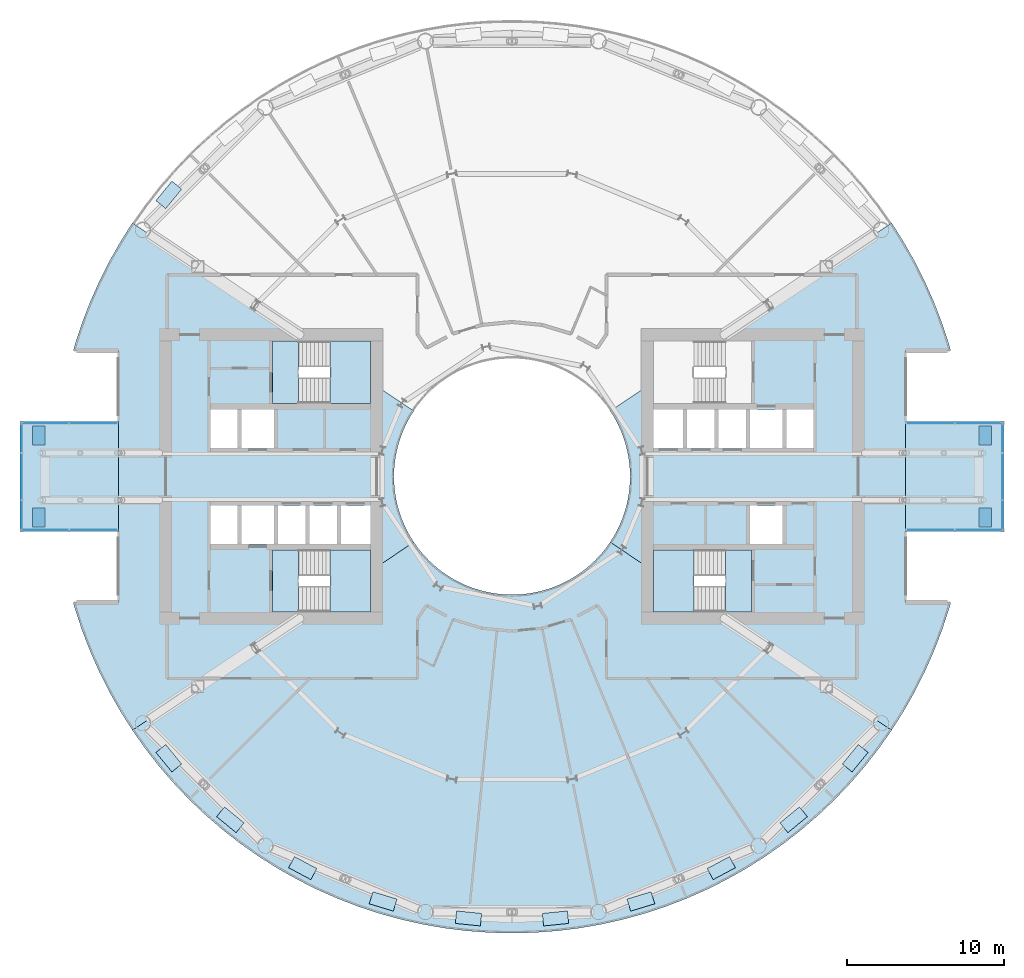
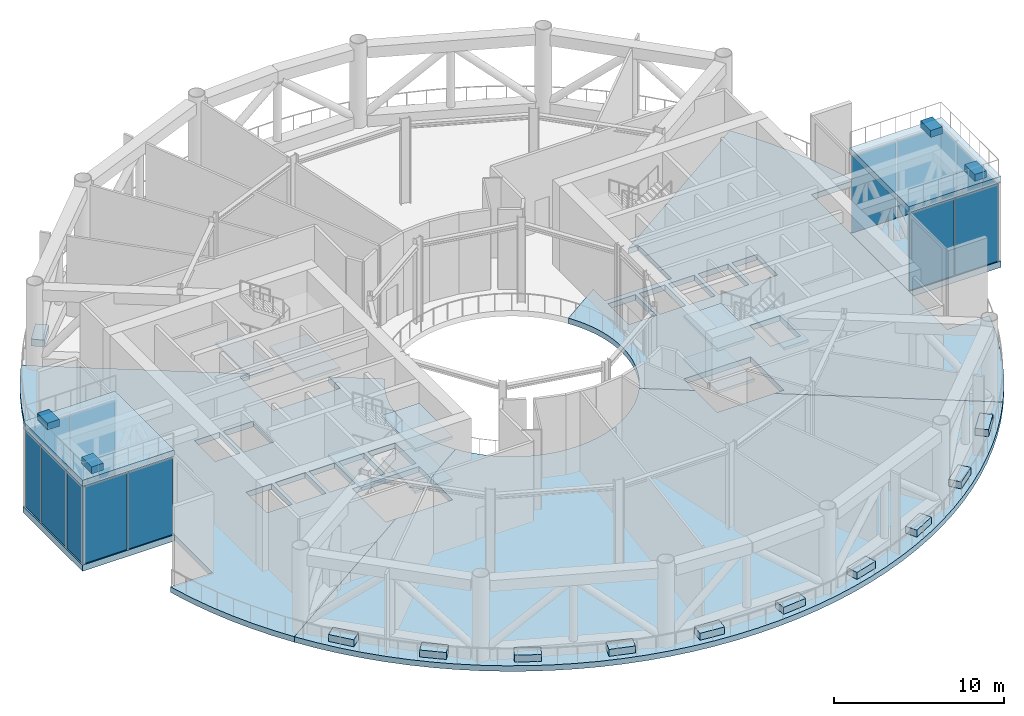
# One storey, part 9 of 22: 30 slabs, 14 plates, 9 elements without a shape of their own.
"""IFC4 building model written with IfcOpenShell, lengths in metres."""

import ifcopenshell
import ifcopenshell.guid

model = None  # the IFC model being written
_history = None  # IfcOwnerHistory: only IFC2X3 demands one
_inside = {}  # id of a spatial element -> (the spatial element, [elements in it])
_under = {}  # id of a project, library or spatial element -> (it, [spatial elements below it])
_declared = {}  # id of a project -> (the project, [libraries it declares])
_typed = {}  # id of a type object -> (the type object, [elements of that type])
_made_of = {}  # id of a material, layer set ... -> (it, [elements and type objects made of it])


def new_model(schema):
    """Start an empty IFC model of exactly this schema.

    Asked for "IFC4X3", IfcOpenShell would pick the latest addendum, in which some entities
    have other attributes; the version numbers below select the first issue.
    IFC2X3 requires an IfcOwnerHistory on every rooted entity: one is made here for all.
    """
    global model, _history
    if schema == "IFC4X3":
        model = ifcopenshell.file(schema_version=(4, 3, 0, 0))
    else:
        model = ifcopenshell.file(schema=schema)
    _inside.clear()
    _under.clear()
    _declared.clear()
    _typed.clear()
    _made_of.clear()
    _history = None
    if model.schema == "IFC2X3":
        org = make("IfcOrganization", Name="unknown")
        user = make(
            "IfcPersonAndOrganization",
            ThePerson=make("IfcPerson", FamilyName="unknown"),
            TheOrganization=org,
        )
        app = make(
            "IfcApplication",
            ApplicationDeveloper=org,
            Version="unknown",
            ApplicationFullName="unknown",
            ApplicationIdentifier="unknown",
        )
        _history = make(
            "IfcOwnerHistory",
            OwningUser=user,
            OwningApplication=app,
            ChangeAction="ADDED",
            CreationDate=0,
        )
    return model


def make(cls, **values):
    """One entity of the class cls with the attributes given. An attribute that is None is left unset."""
    return model.create_entity(
        cls, **{name: value for name, value in values.items() if value is not None}
    )


def rooted(cls, **values):
    """An entity with a GlobalId (a new one), such as an element, a storey or a relation."""
    return make(cls, GlobalId=ifcopenshell.guid.new(), OwnerHistory=_history, **values)


def si_unit(unit_type, name, prefix=None):
    """IfcSIUnit, for example si_unit("LENGTHUNIT", "METRE", prefix="MILLI")."""
    return make("IfcSIUnit", UnitType=unit_type, Prefix=prefix, Name=name)


def assignment(units):
    """IfcUnitAssignment: the units of a project."""
    return None if units is None else make("IfcUnitAssignment", Units=units)


def point(xyz):
    """IfcCartesianPoint."""
    return None if xyz is None else make("IfcCartesianPoint", Coordinates=xyz)


def direction(xyz):
    """IfcDirection."""
    return None if xyz is None else make("IfcDirection", DirectionRatios=xyz)


def frame(location, z_axis=None, x_axis=None):
    """IfcAxis2Placement3D, a coordinate frame: its origin and axes. An axis left out is left unset."""
    return make(
        "IfcAxis2Placement3D",
        Location=point(location),
        Axis=direction(z_axis),
        RefDirection=direction(x_axis),
    )


def frame_2d(location, x_axis=None):
    """IfcAxis2Placement2D, a coordinate frame in the plane: its origin and x axis."""
    return make(
        "IfcAxis2Placement2D", Location=point(location), RefDirection=direction(x_axis)
    )


def origin():
    """The frame at (0, 0, 0) with its axes left unset."""
    return frame((0.0, 0.0, 0.0))


def origin_2d():
    """The frame at (0, 0) in the plane with its x axis left unset."""
    return frame_2d((0.0, 0.0))


def place(relative_to, where):
    """IfcLocalPlacement: puts the frame where relative to a parent placement (None: the world)."""
    return make(
        "IfcLocalPlacement", PlacementRelTo=relative_to, RelativePlacement=where
    )


def context(
    kind, dimensions, precision=None, world=None, true_north=None, identifier=None
):
    """IfcGeometricRepresentationContext, for example the 3D "Model" context."""
    return make(
        "IfcGeometricRepresentationContext",
        ContextIdentifier=identifier,
        ContextType=kind,
        CoordinateSpaceDimension=dimensions,
        Precision=precision,
        WorldCoordinateSystem=world,
        TrueNorth=true_north,
    )


def subcontext(parent, identifier, kind, view, scale=None):
    """IfcGeometricRepresentationSubContext, for example "Body" below "Model"."""
    return make(
        "IfcGeometricRepresentationSubContext",
        ContextIdentifier=identifier,
        ContextType=kind,
        ParentContext=parent,
        TargetScale=scale,
        TargetView=view,
    )


def project(units=None, contexts=None):
    """IfcProject with its units and contexts."""
    return rooted(
        "IfcProject",
        Name="project",
        RepresentationContexts=contexts,
        UnitsInContext=assignment(units),
    )


def spatial(cls, under=None, at=None, **own):
    """A site, building, storey or space (cls), placed at a placement, below another one or the project."""
    s = rooted(cls, ObjectPlacement=at, **own)
    if under is not None:
        _under.setdefault(under.id(), (under, []))[1].append(s)
    return s


def polyline(points):
    """IfcPolyline through the points."""
    return make("IfcPolyline", Points=[point(p) for p in points])


def profile(cls, at=None, kind="AREA", **sizes):
    """A parametric profile (cls). Its sizes go by their IFC names, for example OverallWidth=200.0."""
    return make(cls, ProfileType=kind, Position=at, **sizes)


def rectangle(**sizes):
    """IfcRectangleProfileDef."""
    return profile("IfcRectangleProfileDef", **sizes)


def outline(outer, holes=None, kind="AREA"):
    """IfcArbitraryClosedProfileDef: a profile drawn as a closed curve; with holes, ...WithVoids."""
    if holes is None:
        return make("IfcArbitraryClosedProfileDef", ProfileType=kind, OuterCurve=outer)
    return make(
        "IfcArbitraryProfileDefWithVoids",
        ProfileType=kind,
        OuterCurve=outer,
        InnerCurves=holes,
    )


def extrude(swept, where, along, depth):
    """IfcExtrudedAreaSolid: the profile swept, set in the frame where, extruded along a direction by depth."""
    return make(
        "IfcExtrudedAreaSolid",
        SweptArea=swept,
        Position=where,
        ExtrudedDirection=direction(along),
        Depth=depth,
    )


def shape(context_of_items, identifier, shape_type, items):
    """IfcShapeRepresentation: the items that make up one representation, for example the "Body"."""
    return make(
        "IfcShapeRepresentation",
        ContextOfItems=context_of_items,
        RepresentationIdentifier=identifier,
        RepresentationType=shape_type,
        Items=items,
    )


def material(Name=None, Category=None):
    """IfcMaterial."""
    return make("IfcMaterial", Name=Name, Category=Category)


def layer(
    of_material, thickness, ventilated=None, Name=None, Category=None, Priority=None
):
    """IfcMaterialLayer: one layer of a wall or slab, of a material (None: an air gap)."""
    return make(
        "IfcMaterialLayer",
        Material=of_material,
        LayerThickness=thickness,
        IsVentilated=ventilated,
        Name=Name,
        Category=Category,
        Priority=Priority,
    )


def layer_set(layers, Name=None):
    """IfcMaterialLayerSet."""
    return make("IfcMaterialLayerSet", MaterialLayers=layers, LayerSetName=Name)


def made_of(thing, what):
    """Note that an element or type object is made of a material, layer set ...; save() writes the relation."""
    if what is not None:
        _made_of.setdefault(what.id(), (what, []))[1].append(thing)
    return thing


def type_object(cls, material=None, **own):
    """A type object (cls), such as IfcWallType, which elements share."""
    return made_of(rooted(cls, **own), material)


def element(
    cls,
    number,
    at=None,
    inside=None,
    cuts=None,
    type_object=None,
    material=None,
    context=None,
    identifier="Body",
    shape_type=None,
    held_by="IfcProductDefinitionShape",
    body=None,
    shapes=None,
    **own,
):
    """One element of the class cls, such as IfcWall. Its Tag is "e" and its number.

    at: its placement. inside: the storey or other place that contains it. cuts: it is an
    opening in that element (IfcRelVoidsElement). A single representation is given by context,
    identifier, shape_type and body (its items); several are given by shapes. held_by: the class
    of the entity that holds the representations. save() writes the other relations.
    """
    e = rooted(cls, Tag="e%d" % number, ObjectPlacement=at, **own)
    if body is not None:
        shapes = [shape(context, identifier, shape_type, body)]
    if shapes is not None:
        e.Representation = make(held_by, Representations=shapes)
    if inside is not None:
        _inside.setdefault(inside.id(), (inside, []))[1].append(e)
    if cuts is not None:
        rooted(
            "IfcRelVoidsElement", RelatingBuildingElement=cuts, RelatedOpeningElement=e
        )
    if type_object is not None:
        _typed.setdefault(type_object.id(), (type_object, []))[1].append(e)
    return made_of(e, material)


def aggregate(whole, parts):
    """IfcRelAggregates: a whole, such as a stair, and the parts it consists of."""
    return rooted("IfcRelAggregates", RelatingObject=whole, RelatedObjects=parts)


def save(model, path):
    """Write the relations noted so far, then the file.

    IfcRelAggregates (storeys below a building ...), IfcRelContainedInSpatialStructure (elements
    in a storey), IfcRelDefinesByType, IfcRelAssociatesMaterial and IfcRelDeclares: one each for
    every whole, place, type object, material and project.
    """
    for whole, parts in _under.values():
        aggregate(whole, parts)
    for where, things in _inside.values():
        rooted(
            "IfcRelContainedInSpatialStructure",
            RelatedElements=things,
            RelatingStructure=where,
        )
    for kind, things in _typed.values():
        rooted("IfcRelDefinesByType", RelatedObjects=things, RelatingType=kind)
    for what, things in _made_of.values():
        rooted("IfcRelAssociatesMaterial", RelatedObjects=things, RelatingMaterial=what)
    for by, libraries in _declared.values():
        rooted("IfcRelDeclares", RelatingContext=by, RelatedDefinitions=libraries)
    model.write(path)


model = new_model("IFC4")

# Units and contexts
model_context = context("Model", 3, precision=1e-05, world=origin(), true_north=direction((0.0, 1.0)))
body_context = subcontext(model_context, "Body", "Model", "MODEL_VIEW")
ifc_project = project(units=[si_unit("LENGTHUNIT", "METRE"), si_unit("AREAUNIT", "SQUARE_METRE"), si_unit("VOLUMEUNIT", "CUBIC_METRE"), si_unit("PLANEANGLEUNIT", "RADIAN"), si_unit("MASSUNIT", "GRAM", prefix="KILO")], contexts=[model_context])

# Site, building, storey
site_placement = place(None, origin())
site = spatial("IfcSite", under=ifc_project, at=site_placement, CompositionType="ELEMENT")
building_placement = place(site_placement, origin())
building = spatial("IfcBuilding", under=site, at=building_placement, Name="Maasbend Ring Residences", CompositionType="ELEMENT")
storey_placement = place(building_placement, frame((0.0, 0.0, 57.5)))
storey = spatial("IfcBuildingStorey", under=building, at=storey_placement, Name="L16", CompositionType="ELEMENT", Elevation=57.5)

# Stair, slabs
ifc_material_1 = material(Name="Concrete C40/50", Category="concrete")
stair_type = type_object("IfcStairType", Name="CORE STAIR 36 RISERS", PredefinedType="HALF_TURN_STAIR", material=ifc_material_1)
stair_1_placement = place(storey_placement, origin())
stair_1 = element("IfcStair", 1, at=stair_1_placement, inside=storey, type_object=stair_type, Name="L16 Exit stair ST-E2", PredefinedType="HALF_TURN_STAIR")
ifc_material_2 = material(Name="Concrete C40/50", Category="concrete")
ifc_layer_1 = layer(ifc_material_2, 0.199951171875)
ifc_layer_set_1 = layer_set([ifc_layer_1], Name="Concrete C40/50")
slab_type_1 = type_object("IfcSlabType", Name="CORE STAIR LANDING 200", PredefinedType="LANDING", material=ifc_layer_set_1)
slab_1_placement = place(storey_placement, frame((0.0, 0.0, 1.324951171875)))
slab_1 = element("IfcSlab", 2, at=slab_1_placement, type_object=slab_type_1, Name="ST-E2 landing 1", PredefinedType="LANDING", context=body_context, shape_type="SweptSolid", body=[
    extrude(outline(polyline([(11.550048828125, -4.64990234375), (9.0, -4.64990234375), (9.0, -8.60009765625), (11.550048828125, -8.60009765625), (11.550048828125, -4.64990234375)])), origin(), (0.0, 0.0, 1.0), 0.199951171875),
])
slab_2_placement = place(storey_placement, frame((0.0, 0.0, 2.85009765625)))
slab_2 = element("IfcSlab", 3, at=slab_2_placement, type_object=slab_type_1, Name="ST-E2 landing 2", PredefinedType="LANDING", context=body_context, shape_type="SweptSolid", body=[
    extrude(outline(polyline([(15.199951171875, -4.64990234375), (13.550048828125, -4.64990234375), (13.550048828125, -8.60009765625), (15.199951171875, -8.60009765625), (15.199951171875, -4.64990234375)])), origin(), (0.0, 0.0, 1.0), 0.199951171875),
])
slab_3_placement = place(storey_placement, frame((0.0, 0.0, 4.375)))
slab_3 = element("IfcSlab", 4, at=slab_3_placement, type_object=slab_type_1, Name="ST-E2 landing 3", PredefinedType="LANDING", context=body_context, shape_type="SweptSolid", body=[
    extrude(outline(polyline([(11.550048828125, -4.64990234375), (9.0, -4.64990234375), (9.0, -8.60009765625), (11.550048828125, -8.60009765625), (11.550048828125, -4.64990234375)])), origin(), (0.0, 0.0, 1.0), 0.199951171875),
])
aggregate(stair_1, [slab_1, slab_2, slab_3])

stair_2_placement = place(storey_placement, origin())
stair_2 = element("IfcStair", 5, at=stair_2_placement, inside=storey, type_object=stair_type, Name="L16 Exit stair ST-W1", PredefinedType="HALF_TURN_STAIR")
slab_4_placement = place(storey_placement, frame((0.0, 0.0, 1.324951171875)))
slab_4 = element("IfcSlab", 6, at=slab_4_placement, type_object=slab_type_1, Name="ST-W1 landing 1", PredefinedType="LANDING", context=body_context, shape_type="SweptSolid", body=[
    extrude(outline(polyline([(-11.550048828125, -8.60009765625), (-9.0, -8.60009765625), (-9.0, -4.64990234375), (-11.550048828125, -4.64990234375), (-11.550048828125, -8.60009765625)])), origin(), (0.0, 0.0, 1.0), 0.199951171875),
])
slab_5_placement = place(storey_placement, frame((0.0, 0.0, 2.85009765625)))
slab_5 = element("IfcSlab", 7, at=slab_5_placement, type_object=slab_type_1, Name="ST-W1 landing 2", PredefinedType="LANDING", context=body_context, shape_type="SweptSolid", body=[
    extrude(outline(polyline([(-15.199951171875, -8.60009765625), (-13.550048828125, -8.60009765625), (-13.550048828125, -4.64990234375), (-15.199951171875, -4.64990234375), (-15.199951171875, -8.60009765625)])), origin(), (0.0, 0.0, 1.0), 0.199951171875),
])
slab_6_placement = place(storey_placement, frame((0.0, 0.0, 4.375)))
slab_6 = element("IfcSlab", 8, at=slab_6_placement, type_object=slab_type_1, Name="ST-W1 landing 3", PredefinedType="LANDING", context=body_context, shape_type="SweptSolid", body=[
    extrude(outline(polyline([(-11.550048828125, -8.60009765625), (-9.0, -8.60009765625), (-9.0, -4.64990234375), (-11.550048828125, -4.64990234375), (-11.550048828125, -8.60009765625)])), origin(), (0.0, 0.0, 1.0), 0.199951171875),
])
aggregate(stair_2, [slab_4, slab_5, slab_6])

stair_3_placement = place(storey_placement, origin())
stair_3 = element("IfcStair", 9, at=stair_3_placement, inside=storey, type_object=stair_type, Name="L16 Exit stair ST-W2", PredefinedType="HALF_TURN_STAIR")
slab_7_placement = place(storey_placement, frame((0.0, 0.0, 1.324951171875)))
slab_7 = element("IfcSlab", 10, at=slab_7_placement, type_object=slab_type_1, Name="ST-W2 landing 1", PredefinedType="LANDING", context=body_context, shape_type="SweptSolid", body=[
    extrude(outline(polyline([(-11.550048828125, 4.64990234375), (-9.0, 4.64990234375), (-9.0, 8.60009765625), (-11.550048828125, 8.60009765625), (-11.550048828125, 4.64990234375)])), origin(), (0.0, 0.0, 1.0), 0.199951171875),
])
slab_8_placement = place(storey_placement, frame((0.0, 0.0, 2.85009765625)))
slab_8 = element("IfcSlab", 11, at=slab_8_placement, type_object=slab_type_1, Name="ST-W2 landing 2", PredefinedType="LANDING", context=body_context, shape_type="SweptSolid", body=[
    extrude(outline(polyline([(-15.199951171875, 4.64990234375), (-13.550048828125, 4.64990234375), (-13.550048828125, 8.60009765625), (-15.199951171875, 8.60009765625), (-15.199951171875, 4.64990234375)])), origin(), (0.0, 0.0, 1.0), 0.199951171875),
])
aggregate(stair_3, [slab_7, slab_8])

# Curtain wall, plates
ifc_material_3 = material(Name="Aluminium and clear glass", Category="aluminium")
ifc_layer_2 = layer(ifc_material_3, 0.199951171875)
ifc_layer_set_2 = layer_set([ifc_layer_2], Name="CW-GR")
curtain_wall_type = type_object("IfcCurtainWallType", Name="CW-GR", PredefinedType="NOTDEFINED", material=ifc_layer_set_2)
curtain_wall_1_placement = place(storey_placement, origin())
curtain_wall_1 = element("IfcCurtainWall", 12, at=curtain_wall_1_placement, inside=storey, type_object=curtain_wall_type, Name="Glass lounge curtain wall tip", PredefinedType="NOTDEFINED")
ifc_material_4 = material(Name="Glass clear laminated", Category="glass")
ifc_layer_3 = layer(ifc_material_4, 0.035888671875)
ifc_layer_set_3 = layer_set([ifc_layer_3], Name="CWP-GR")
plate_type = type_object("IfcPlateType", Name="CWP-GR", PredefinedType="CURTAIN_PANEL", material=ifc_layer_set_3)
plate_1_placement = place(storey_placement, frame((31.14990234375, -2.482421875, 0.0), z_axis=(0.0, 0.0, 1.0), x_axis=(0.0, 1.0, 0.0)))
plate_1 = element("IfcPlate", 13, at=plate_1_placement, type_object=plate_type, Name="Glass panel glass room", PredefinedType="CURTAIN_PANEL", context=body_context, shape_type="SweptSolid", body=[
    extrude(rectangle(XDim=1.89501953125, YDim=0.035888671875, at=origin_2d()), origin(), (0.0, 0.0, 1.0), 5.510009765625),
])
plate_2_placement = place(storey_placement, frame((31.14990234375, 0.0, 0.0), z_axis=(0.0, 0.0, 1.0), x_axis=(0.0, 1.0, 0.0)))
plate_2 = element("IfcPlate", 14, at=plate_2_placement, type_object=plate_type, Name="Glass panel glass room", PredefinedType="CURTAIN_PANEL", context=body_context, shape_type="SweptSolid", body=[
    extrude(rectangle(XDim=2.929931640625, YDim=0.035888671875, at=origin_2d()), origin(), (0.0, 0.0, 1.0), 5.510009765625),
])
plate_3_placement = place(storey_placement, frame((31.14990234375, 2.482421875, 0.0), z_axis=(0.0, 0.0, 1.0), x_axis=(0.0, 1.0, 0.0)))
plate_3 = element("IfcPlate", 15, at=plate_3_placement, type_object=plate_type, Name="Glass panel glass room", PredefinedType="CURTAIN_PANEL", context=body_context, shape_type="SweptSolid", body=[
    extrude(rectangle(XDim=1.89501953125, YDim=0.035888671875, at=origin_2d()), origin(), (0.0, 0.0, 1.0), 5.510009765625),
])
aggregate(curtain_wall_1, [plate_1, plate_2, plate_3])

curtain_wall_2_placement = place(storey_placement, origin())
curtain_wall_2 = element("IfcCurtainWall", 16, at=curtain_wall_2_placement, inside=storey, type_object=curtain_wall_type, Name="Glass lounge curtain wall south", PredefinedType="NOTDEFINED")
plate_4_placement = place(storey_placement, frame((26.580078125, -3.39990234375, 0.0), z_axis=(0.0, 0.0, 1.0), x_axis=(1.0, 0.0, 0.0)))
plate_4 = element("IfcPlate", 17, at=plate_4_placement, type_object=plate_type, Name="Glass panel glass room", PredefinedType="CURTAIN_PANEL", context=body_context, shape_type="SweptSolid", body=[
    extrude(rectangle(XDim=3.02001953125, YDim=0.035888671875, at=origin_2d()), origin(), (0.0, 0.0, 1.0), 5.510009765625),
])
plate_5_placement = place(storey_placement, frame((29.669921875, -3.39990234375, 0.0), z_axis=(0.0, 0.0, 1.0), x_axis=(1.0, 0.0, 0.0)))
plate_5 = element("IfcPlate", 18, at=plate_5_placement, type_object=plate_type, Name="Glass panel glass room", PredefinedType="CURTAIN_PANEL", context=body_context, shape_type="SweptSolid", body=[
    extrude(rectangle(XDim=3.02001953125, YDim=0.035888671875, at=origin_2d()), origin(), (0.0, 0.0, 1.0), 5.510009765625),
])
aggregate(curtain_wall_2, [plate_4, plate_5])

curtain_wall_3_placement = place(storey_placement, origin())
curtain_wall_3 = element("IfcCurtainWall", 19, at=curtain_wall_3_placement, inside=storey, type_object=curtain_wall_type, Name="Glass lounge curtain wall north", PredefinedType="NOTDEFINED")
plate_6_placement = place(storey_placement, frame((26.580078125, 3.39990234375, 0.0), z_axis=(0.0, 0.0, 1.0), x_axis=(1.0, 0.0, 0.0)))
plate_6 = element("IfcPlate", 20, at=plate_6_placement, type_object=plate_type, Name="Glass panel glass room", PredefinedType="CURTAIN_PANEL", context=body_context, shape_type="SweptSolid", body=[
    extrude(rectangle(XDim=3.02001953125, YDim=0.035888671875, at=origin_2d()), origin(), (0.0, 0.0, 1.0), 5.510009765625),
])
plate_7_placement = place(storey_placement, frame((29.669921875, 3.39990234375, 0.0), z_axis=(0.0, 0.0, 1.0), x_axis=(1.0, 0.0, 0.0)))
plate_7 = element("IfcPlate", 21, at=plate_7_placement, type_object=plate_type, Name="Glass panel glass room", PredefinedType="CURTAIN_PANEL", context=body_context, shape_type="SweptSolid", body=[
    extrude(rectangle(XDim=3.02001953125, YDim=0.035888671875, at=origin_2d()), origin(), (0.0, 0.0, 1.0), 5.510009765625),
])
aggregate(curtain_wall_3, [plate_6, plate_7])

curtain_wall_4_placement = place(storey_placement, origin())
curtain_wall_4 = element("IfcCurtainWall", 22, at=curtain_wall_4_placement, inside=storey, type_object=curtain_wall_type, Name="Glass lounge curtain wall tip", PredefinedType="NOTDEFINED")
plate_8_placement = place(storey_placement, frame((-31.14990234375, -2.482421875, 0.0), z_axis=(0.0, 0.0, 1.0), x_axis=(0.0, 1.0, 0.0)))
plate_8 = element("IfcPlate", 23, at=plate_8_placement, type_object=plate_type, Name="Glass panel glass room", PredefinedType="CURTAIN_PANEL", context=body_context, shape_type="SweptSolid", body=[
    extrude(rectangle(XDim=1.89501953125, YDim=0.035888671875, at=origin_2d()), origin(), (0.0, 0.0, 1.0), 5.510009765625),
])
plate_9_placement = place(storey_placement, frame((-31.14990234375, 0.0, 0.0), z_axis=(0.0, 0.0, 1.0), x_axis=(0.0, 1.0, 0.0)))
plate_9 = element("IfcPlate", 24, at=plate_9_placement, type_object=plate_type, Name="Glass panel glass room", PredefinedType="CURTAIN_PANEL", context=body_context, shape_type="SweptSolid", body=[
    extrude(rectangle(XDim=2.929931640625, YDim=0.035888671875, at=origin_2d()), origin(), (0.0, 0.0, 1.0), 5.510009765625),
])
plate_10_placement = place(storey_placement, frame((-31.14990234375, 2.482421875, 0.0), z_axis=(0.0, 0.0, 1.0), x_axis=(0.0, 1.0, 0.0)))
plate_10 = element("IfcPlate", 25, at=plate_10_placement, type_object=plate_type, Name="Glass panel glass room", PredefinedType="CURTAIN_PANEL", context=body_context, shape_type="SweptSolid", body=[
    extrude(rectangle(XDim=1.89501953125, YDim=0.035888671875, at=origin_2d()), origin(), (0.0, 0.0, 1.0), 5.510009765625),
])
aggregate(curtain_wall_4, [plate_8, plate_9, plate_10])

curtain_wall_5_placement = place(storey_placement, origin())
curtain_wall_5 = element("IfcCurtainWall", 26, at=curtain_wall_5_placement, inside=storey, type_object=curtain_wall_type, Name="Glass lounge curtain wall south", PredefinedType="NOTDEFINED")
plate_11_placement = place(storey_placement, frame((-26.580078125, -3.39990234375, 0.0), z_axis=(0.0, 0.0, 1.0), x_axis=(-1.0, 0.0, 0.0)))
plate_11 = element("IfcPlate", 27, at=plate_11_placement, type_object=plate_type, Name="Glass panel glass room", PredefinedType="CURTAIN_PANEL", context=body_context, shape_type="SweptSolid", body=[
    extrude(rectangle(XDim=3.02001953125, YDim=0.035888671875, at=origin_2d()), origin(), (0.0, 0.0, 1.0), 5.510009765625),
])
plate_12_placement = place(storey_placement, frame((-29.669921875, -3.39990234375, 0.0), z_axis=(0.0, 0.0, 1.0), x_axis=(-1.0, 0.0, 0.0)))
plate_12 = element("IfcPlate", 28, at=plate_12_placement, type_object=plate_type, Name="Glass panel glass room", PredefinedType="CURTAIN_PANEL", context=body_context, shape_type="SweptSolid", body=[
    extrude(rectangle(XDim=3.02001953125, YDim=0.035888671875, at=origin_2d()), origin(), (0.0, 0.0, 1.0), 5.510009765625),
])
aggregate(curtain_wall_5, [plate_11, plate_12])

curtain_wall_6_placement = place(storey_placement, origin())
curtain_wall_6 = element("IfcCurtainWall", 29, at=curtain_wall_6_placement, inside=storey, type_object=curtain_wall_type, Name="Glass lounge curtain wall north", PredefinedType="NOTDEFINED")
plate_13_placement = place(storey_placement, frame((-26.580078125, 3.39990234375, 0.0), z_axis=(0.0, 0.0, 1.0), x_axis=(-1.0, 0.0, 0.0)))
plate_13 = element("IfcPlate", 30, at=plate_13_placement, type_object=plate_type, Name="Glass panel glass room", PredefinedType="CURTAIN_PANEL", context=body_context, shape_type="SweptSolid", body=[
    extrude(rectangle(XDim=3.02001953125, YDim=0.035888671875, at=origin_2d()), origin(), (0.0, 0.0, 1.0), 5.510009765625),
])
plate_14_placement = place(storey_placement, frame((-29.669921875, 3.39990234375, 0.0), z_axis=(0.0, 0.0, 1.0), x_axis=(-1.0, 0.0, 0.0)))
plate_14 = element("IfcPlate", 31, at=plate_14_placement, type_object=plate_type, Name="Glass panel glass room", PredefinedType="CURTAIN_PANEL", context=body_context, shape_type="SweptSolid", body=[
    extrude(rectangle(XDim=3.02001953125, YDim=0.035888671875, at=origin_2d()), origin(), (0.0, 0.0, 1.0), 5.510009765625),
])
aggregate(curtain_wall_6, [plate_13, plate_14])

# Slabs
ifc_material_5 = material(Name="Lawn and planting")
ifc_layer_4 = layer(ifc_material_5, 0.5)
ifc_layer_set_4 = layer_set([ifc_layer_4], Name="PLANTER-GD")
slab_type_2 = type_object("IfcSlabType", Name="PLANTER-GD", PredefinedType="USERDEFINED", material=ifc_layer_set_4)
slab_9_placement = place(storey_placement, origin())
element("IfcSlab", 32, at=slab_9_placement, inside=storey, type_object=slab_type_2, Name="Garden planter 10", ObjectType="PLANTER", PredefinedType="USERDEFINED", context=body_context, shape_type="SweptSolid", body=[
    extrude(outline(polyline([(-21.60107421875, 18.761962890625), (-22.615966796875, 17.52490234375), (-21.9970703125, 17.01806640625), (-20.98193359375, 18.2548828125), (-21.60107421875, 18.761962890625)])), origin(), (0.0, 0.0, 1.0), 0.5),
])
slab_10_placement = place(storey_placement, origin())
element("IfcSlab", 33, at=slab_10_placement, inside=storey, type_object=slab_type_2, Name="Garden planter 11", ObjectType="PLANTER", PredefinedType="USERDEFINED", context=body_context, shape_type="SweptSolid", body=[
    extrude(outline(polyline([(-22.615966796875, -17.52490234375), (-21.60107421875, -18.761962890625), (-20.98193359375, -18.2548828125), (-21.9970703125, -17.01806640625), (-22.615966796875, -17.52490234375)])), origin(), (0.0, 0.0, 1.0), 0.5),
])
slab_11_placement = place(storey_placement, origin())
element("IfcSlab", 34, at=slab_11_placement, inside=storey, type_object=slab_type_2, Name="Garden planter 12", ObjectType="PLANTER", PredefinedType="USERDEFINED", context=body_context, shape_type="SweptSolid", body=[
    extrude(outline(polyline([(-18.761962890625, -21.60107421875), (-17.52490234375, -22.615966796875), (-17.01806640625, -21.9970703125), (-18.2548828125, -20.98193359375), (-18.761962890625, -21.60107421875)])), origin(), (0.0, 0.0, 1.0), 0.5),
])
slab_12_placement = place(storey_placement, origin())
element("IfcSlab", 35, at=slab_12_placement, inside=storey, type_object=slab_type_2, Name="Garden planter 13", ObjectType="PLANTER", PredefinedType="USERDEFINED", context=body_context, shape_type="SweptSolid", body=[
    extrude(outline(polyline([(-14.18701171875, -24.845947265625), (-12.77587890625, -25.60009765625), (-12.39892578125, -24.89501953125), (-13.81005859375, -24.139892578125), (-14.18701171875, -24.845947265625)])), origin(), (0.0, 0.0, 1.0), 0.5),
])
slab_13_placement = place(storey_placement, origin())
element("IfcSlab", 36, at=slab_13_placement, inside=storey, type_object=slab_type_2, Name="Garden planter 14", ObjectType="PLANTER", PredefinedType="USERDEFINED", context=body_context, shape_type="SweptSolid", body=[
    extrude(outline(polyline([(-9.068115234375, -27.135986328125), (-7.537109375, -27.60107421875), (-7.303955078125, -26.8349609375), (-8.8349609375, -26.37109375), (-9.068115234375, -27.135986328125)])), origin(), (0.0, 0.0, 1.0), 0.5),
])
slab_14_placement = place(storey_placement, origin())
element("IfcSlab", 37, at=slab_14_placement, inside=storey, type_object=slab_type_2, Name="Garden planter 15", ObjectType="PLANTER", PredefinedType="USERDEFINED", context=body_context, shape_type="SweptSolid", body=[
    extrude(outline(polyline([(-3.59912109375, -28.384033203125), (-2.007080078125, -28.541015625), (-1.928955078125, -27.7451171875), (-3.52099609375, -27.587890625), (-3.59912109375, -28.384033203125)])), origin(), (0.0, 0.0, 1.0), 0.5),
])
slab_15_placement = place(storey_placement, origin())
element("IfcSlab", 38, at=slab_15_placement, inside=storey, type_object=slab_type_2, Name="Garden planter 16", ObjectType="PLANTER", PredefinedType="USERDEFINED", context=body_context, shape_type="SweptSolid", body=[
    extrude(outline(polyline([(2.007080078125, -28.541015625), (3.59912109375, -28.384033203125), (3.52099609375, -27.587890625), (1.928955078125, -27.7451171875), (2.007080078125, -28.541015625)])), origin(), (0.0, 0.0, 1.0), 0.5),
])
slab_16_placement = place(storey_placement, origin())
element("IfcSlab", 39, at=slab_16_placement, inside=storey, type_object=slab_type_2, Name="Garden planter 17", ObjectType="PLANTER", PredefinedType="USERDEFINED", context=body_context, shape_type="SweptSolid", body=[
    extrude(outline(polyline([(7.537109375, -27.60107421875), (9.068115234375, -27.135986328125), (8.8349609375, -26.37109375), (7.303955078125, -26.8349609375), (7.537109375, -27.60107421875)])), origin(), (0.0, 0.0, 1.0), 0.5),
])
slab_17_placement = place(storey_placement, origin())
element("IfcSlab", 40, at=slab_17_placement, inside=storey, type_object=slab_type_2, Name="Garden planter 18", ObjectType="PLANTER", PredefinedType="USERDEFINED", context=body_context, shape_type="SweptSolid", body=[
    extrude(outline(polyline([(12.77587890625, -25.60009765625), (14.18701171875, -24.845947265625), (13.81005859375, -24.139892578125), (12.39892578125, -24.89501953125), (12.77587890625, -25.60009765625)])), origin(), (0.0, 0.0, 1.0), 0.5),
])
slab_18_placement = place(storey_placement, origin())
element("IfcSlab", 41, at=slab_18_placement, inside=storey, type_object=slab_type_2, Name="Garden planter 19", ObjectType="PLANTER", PredefinedType="USERDEFINED", context=body_context, shape_type="SweptSolid", body=[
    extrude(outline(polyline([(17.52490234375, -22.615966796875), (18.761962890625, -21.60107421875), (18.2548828125, -20.98193359375), (17.01806640625, -21.9970703125), (17.52490234375, -22.615966796875)])), origin(), (0.0, 0.0, 1.0), 0.5),
])
slab_19_placement = place(storey_placement, origin())
element("IfcSlab", 42, at=slab_19_placement, inside=storey, type_object=slab_type_2, Name="Garden planter 20", ObjectType="PLANTER", PredefinedType="USERDEFINED", context=body_context, shape_type="SweptSolid", body=[
    extrude(outline(polyline([(21.60107421875, -18.761962890625), (22.615966796875, -17.52490234375), (21.9970703125, -17.01806640625), (20.98193359375, -18.2548828125), (21.60107421875, -18.761962890625)])), origin(), (0.0, 0.0, 1.0), 0.5),
])
slab_20_placement = place(storey_placement, frame((0.0, 0.0, 6.10009765625)))
element("IfcSlab", 43, at=slab_20_placement, inside=storey, type_object=slab_type_2, Name="Terrace planter 1", ObjectType="PLANTER", PredefinedType="USERDEFINED", context=body_context, shape_type="SweptSolid", body=[
    extrude(outline(polyline([(29.64990234375, -3.199951171875), (30.449951171875, -3.199951171875), (30.449951171875, -2.0), (29.64990234375, -2.0), (29.64990234375, -3.199951171875)])), origin(), (0.0, 0.0, 1.0), 0.5),
])
slab_21_placement = place(storey_placement, frame((0.0, 0.0, 6.10009765625)))
element("IfcSlab", 44, at=slab_21_placement, inside=storey, type_object=slab_type_2, Name="Terrace planter 2", ObjectType="PLANTER", PredefinedType="USERDEFINED", context=body_context, shape_type="SweptSolid", body=[
    extrude(outline(polyline([(29.64990234375, 2.0), (30.449951171875, 2.0), (30.449951171875, 3.199951171875), (29.64990234375, 3.199951171875), (29.64990234375, 2.0)])), origin(), (0.0, 0.0, 1.0), 0.5),
])
slab_22_placement = place(storey_placement, frame((0.0, 0.0, 6.10009765625)))
element("IfcSlab", 45, at=slab_22_placement, inside=storey, type_object=slab_type_2, Name="Terrace planter 1", ObjectType="PLANTER", PredefinedType="USERDEFINED", context=body_context, shape_type="SweptSolid", body=[
    extrude(outline(polyline([(-30.449951171875, -3.199951171875), (-29.64990234375, -3.199951171875), (-29.64990234375, -2.0), (-30.449951171875, -2.0), (-30.449951171875, -3.199951171875)])), origin(), (0.0, 0.0, 1.0), 0.5),
])
slab_23_placement = place(storey_placement, frame((0.0, 0.0, 6.10009765625)))
element("IfcSlab", 46, at=slab_23_placement, inside=storey, type_object=slab_type_2, Name="Terrace planter 2", ObjectType="PLANTER", PredefinedType="USERDEFINED", context=body_context, shape_type="SweptSolid", body=[
    extrude(outline(polyline([(-30.449951171875, 2.0), (-29.64990234375, 2.0), (-29.64990234375, 3.199951171875), (-30.449951171875, 3.199951171875), (-30.449951171875, 2.0)])), origin(), (0.0, 0.0, 1.0), 0.5),
])
ifc_material_6 = material(Name="Concrete C40/50", Category="concrete")
ifc_layer_5 = layer(ifc_material_6, 0.39990234375)
ifc_layer_set_5 = layer_set([ifc_layer_5], Name="Concrete C40/50")
slab_type_3 = type_object("IfcSlabType", Name="Post-tensioned flat plate 400", PredefinedType="FLOOR", material=ifc_layer_set_5)
slab_24_placement = place(storey_placement, frame((0.0, 0.0, -0.39990234375)))
element("IfcSlab", 47, at=slab_24_placement, inside=storey, type_object=slab_type_3, Name="Floor slab L16 sky garden", PredefinedType="FLOOR", context=body_context, shape_type="SweptSolid", body=[
    extrude(outline(polyline([(24.112548828125, -16.111572265625), (12.870849609375, -8.60009765625), (9.0, -8.60009765625), (9.0, -6.013671875), (6.236083984375, -4.166748046875), (6.024169921875, -4.4677734375), (5.797607421875, -4.7578125), (5.55712890625, -5.03662109375), (5.30322265625, -5.30322265625), (5.03662109375, -5.55712890625), (4.7578125, -5.797607421875), (4.4677734375, -6.024169921875), (4.166748046875, -6.236083984375), (3.855712890625, -6.43310546875), (3.535400390625, -6.614501953125), (3.206787109375, -6.77978515625), (2.8701171875, -6.92919921875), (2.526611328125, -7.0615234375), (2.177001953125, -7.177001953125), (1.822509765625, -7.275146484375), (1.463134765625, -7.35595703125), (1.1005859375, -7.418701171875), (0.735107421875, -7.4638671875), (0.367919921875, -7.490966796875), (0.0, -7.5), (-0.367919921875, -7.490966796875), (-0.735107421875, -7.4638671875), (-1.1005859375, -7.418701171875), (-1.463134765625, -7.35595703125), (-1.822509765625, -7.275146484375), (-2.177001953125, -7.177001953125), (-2.526611328125, -7.0615234375), (-2.8701171875, -6.92919921875), (-3.206787109375, -6.77978515625), (-3.535400390625, -6.614501953125), (-3.855712890625, -6.43310546875), (-4.166748046875, -6.236083984375), (-4.4677734375, -6.024169921875), (-4.7578125, -5.797607421875), (-5.03662109375, -5.55712890625), (-5.30322265625, -5.30322265625), (-5.55712890625, -5.03662109375), (-5.797607421875, -4.7578125), (-6.024169921875, -4.4677734375), (-6.236083984375, -4.166748046875), (-9.0, -6.013671875), (-9.0, -8.60009765625), (-12.870849609375, -8.60009765625), (-24.112548828125, -16.111572265625), (-23.29296875, -17.275390625), (-22.417236328125, -18.3974609375), (-21.487548828125, -19.47509765625), (-20.506103515625, -20.506103515625), (-19.47509765625, -21.487548828125), (-18.3974609375, -22.417236328125), (-17.275390625, -23.29296875), (-16.111572265625, -24.112548828125), (-14.908935546875, -24.8740234375), (-13.67041015625, -25.57568359375), (-12.399169921875, -26.2158203125), (-11.097900390625, -26.79248046875), (-9.769775390625, -27.3046875), (-8.418212890625, -27.751220703125), (-7.04638671875, -28.130859375), (-5.65771484375, -28.44287109375), (-4.255126953125, -28.68603515625), (-2.842529296875, -28.8603515625), (-1.423095703125, -28.965087890625), (0.0, -29.0), (1.423095703125, -28.965087890625), (2.842529296875, -28.8603515625), (4.255126953125, -28.68603515625), (5.65771484375, -28.44287109375), (7.04638671875, -28.130859375), (8.418212890625, -27.751220703125), (9.769775390625, -27.3046875), (11.097900390625, -26.79248046875), (12.399169921875, -26.2158203125), (13.67041015625, -25.57568359375), (14.908935546875, -24.8740234375), (16.111572265625, -24.112548828125), (17.275390625, -23.29296875), (18.3974609375, -22.417236328125), (19.47509765625, -21.487548828125), (20.506103515625, -20.506103515625), (21.487548828125, -19.47509765625), (22.417236328125, -18.3974609375), (23.29296875, -17.275390625), (24.112548828125, -16.111572265625)])), origin(), (0.0, 0.0, 1.0), 0.39990234375),
])
slab_25_placement = place(storey_placement, frame((0.0, 0.0, -0.39990234375)))
element("IfcSlab", 48, at=slab_25_placement, inside=storey, type_object=slab_type_3, Name="Floor slab L16 core zone", PredefinedType="FLOOR", context=body_context, shape_type="SweptSolid", body=[
    extrude(outline(polyline([(26.2158203125, -12.399169921875), (26.79248046875, -11.097900390625), (27.3046875, -9.769775390625), (27.751220703125, -8.418212890625), (27.866943359375, -8.0), (25.0, -8.0), (25.0, 8.0), (27.866943359375, 8.0), (27.751220703125, 8.418212890625), (27.3046875, 9.769775390625), (26.79248046875, 11.097900390625), (26.2158203125, 12.399169921875), (25.57568359375, 13.67041015625), (24.8740234375, 14.908935546875), (24.112548828125, 16.111572265625), (12.870849609375, 8.60009765625), (13.550048828125, 8.60009765625), (13.550048828125, 4.64990234375), (9.0, 4.64990234375), (9.0, 6.013671875), (6.236083984375, 4.166748046875), (6.43310546875, 3.855712890625), (6.614501953125, 3.535400390625), (6.77978515625, 3.206787109375), (6.92919921875, 2.8701171875), (7.0615234375, 2.526611328125), (7.177001953125, 2.177001953125), (7.275146484375, 1.822509765625), (7.35595703125, 1.463134765625), (7.418701171875, 1.1005859375), (7.4638671875, 0.735107421875), (7.490966796875, 0.367919921875), (7.5, 0.0), (7.490966796875, -0.367919921875), (7.4638671875, -0.735107421875), (7.418701171875, -1.1005859375), (7.35595703125, -1.463134765625), (7.275146484375, -1.822509765625), (7.177001953125, -2.177001953125), (7.0615234375, -2.526611328125), (6.92919921875, -2.8701171875), (6.77978515625, -3.206787109375), (6.614501953125, -3.535400390625), (6.43310546875, -3.855712890625), (6.236083984375, -4.166748046875), (9.0, -6.013671875), (9.0, -4.64990234375), (13.550048828125, -4.64990234375), (13.550048828125, -8.60009765625), (12.870849609375, -8.60009765625), (24.112548828125, -16.111572265625), (24.8740234375, -14.908935546875), (25.57568359375, -13.67041015625), (26.2158203125, -12.399169921875)]), holes=[polyline([(17.425048828125, 1.824951171875), (17.425048828125, 4.27490234375), (19.14990234375, 4.27490234375), (19.14990234375, 1.824951171875), (17.425048828125, 1.824951171875)]), polyline([(17.175048828125, -4.27490234375), (15.125, -4.27490234375), (15.125, -1.824951171875), (17.175048828125, -1.824951171875), (17.175048828125, -4.27490234375)]), polyline([(17.175048828125, 1.824951171875), (15.125, 1.824951171875), (15.125, 4.27490234375), (17.175048828125, 4.27490234375), (17.175048828125, 1.824951171875)]), polyline([(14.875, 1.824951171875), (13.125, 1.824951171875), (13.125, 4.27490234375), (14.875, 4.27490234375), (14.875, 1.824951171875)]), polyline([(12.875, 1.824951171875), (11.125, 1.824951171875), (11.125, 4.27490234375), (12.875, 4.27490234375), (12.875, 1.824951171875)]), polyline([(10.875, 1.824951171875), (9.0, 1.824951171875), (9.0, 4.27490234375), (10.875, 4.27490234375), (10.875, 1.824951171875)])]), origin(), (0.0, 0.0, 1.0), 0.39990234375),
])
slab_26_placement = place(storey_placement, frame((0.0, 0.0, -0.39990234375)))
element("IfcSlab", 49, at=slab_26_placement, inside=storey, type_object=slab_type_3, Name="Floor slab L16 core zone", PredefinedType="FLOOR", context=body_context, shape_type="SweptSolid", body=[
    extrude(outline(polyline([(-24.112548828125, -16.111572265625), (-12.870849609375, -8.60009765625), (-13.550048828125, -8.60009765625), (-13.550048828125, -4.64990234375), (-9.0, -4.64990234375), (-9.0, -6.013671875), (-6.236083984375, -4.166748046875), (-6.43310546875, -3.855712890625), (-6.614501953125, -3.535400390625), (-6.77978515625, -3.206787109375), (-6.92919921875, -2.8701171875), (-7.0615234375, -2.526611328125), (-7.177001953125, -2.177001953125), (-7.275146484375, -1.822509765625), (-7.35595703125, -1.463134765625), (-7.418701171875, -1.1005859375), (-7.4638671875, -0.735107421875), (-7.490966796875, -0.367919921875), (-7.5, 0.0), (-7.490966796875, 0.367919921875), (-7.4638671875, 0.735107421875), (-7.418701171875, 1.1005859375), (-7.35595703125, 1.463134765625), (-7.275146484375, 1.822509765625), (-7.177001953125, 2.177001953125), (-7.0615234375, 2.526611328125), (-6.92919921875, 2.8701171875), (-6.77978515625, 3.206787109375), (-6.614501953125, 3.535400390625), (-6.43310546875, 3.855712890625), (-6.236083984375, 4.166748046875), (-9.0, 6.013671875), (-9.0, 4.64990234375), (-13.550048828125, 4.64990234375), (-13.550048828125, 8.60009765625), (-12.870849609375, 8.60009765625), (-24.112548828125, 16.111572265625), (-24.112548828125, 16.111572265625), (-24.8740234375, 14.908935546875), (-25.57568359375, 13.67041015625), (-26.2158203125, 12.399169921875), (-26.79248046875, 11.097900390625), (-27.3046875, 9.769775390625), (-27.751220703125, 8.418212890625), (-27.866943359375, 8.0), (-25.0, 8.0), (-25.0, -8.0), (-27.866943359375, -8.0), (-27.751220703125, -8.418212890625), (-27.3046875, -9.769775390625), (-26.79248046875, -11.097900390625), (-26.2158203125, -12.399169921875), (-25.57568359375, -13.67041015625), (-24.8740234375, -14.908935546875), (-24.112548828125, -16.111572265625)]), holes=[polyline([(-10.875, -1.824951171875), (-9.0, -1.824951171875), (-9.0, -4.27490234375), (-10.875, -4.27490234375), (-10.875, -1.824951171875)]), polyline([(-12.875, -1.824951171875), (-11.125, -1.824951171875), (-11.125, -4.27490234375), (-12.875, -4.27490234375), (-12.875, -1.824951171875)]), polyline([(-14.875, -1.824951171875), (-13.125, -1.824951171875), (-13.125, -4.27490234375), (-14.875, -4.27490234375), (-14.875, -1.824951171875)]), polyline([(-17.175048828125, -1.824951171875), (-15.125, -1.824951171875), (-15.125, -4.27490234375), (-17.175048828125, -4.27490234375), (-17.175048828125, -1.824951171875)]), polyline([(-17.175048828125, 4.27490234375), (-15.125, 4.27490234375), (-15.125, 1.824951171875), (-17.175048828125, 1.824951171875), (-17.175048828125, 4.27490234375)]), polyline([(-19.14990234375, -1.824951171875), (-17.425048828125, -1.824951171875), (-17.425048828125, -4.27490234375), (-19.14990234375, -4.27490234375), (-19.14990234375, -1.824951171875)]), polyline([(-19.14990234375, 4.27490234375), (-17.425048828125, 4.27490234375), (-17.425048828125, 1.824951171875), (-19.14990234375, 1.824951171875), (-19.14990234375, 4.27490234375)])]), origin(), (0.0, 0.0, 1.0), 0.39990234375),
])
ifc_material_7 = material(Name="Concrete C40/50", Category="concrete")
ifc_layer_6 = layer(ifc_material_7, 0.449951171875)
ifc_layer_set_6 = layer_set([ifc_layer_6], Name="Concrete C40/50")
slab_type_4 = type_object("IfcSlabType", Name="SL-ROOM", PredefinedType="FLOOR", material=ifc_layer_set_6)
slab_27_placement = place(storey_placement, frame((0.0, 0.0, -0.449951171875)))
element("IfcSlab", 50, at=slab_27_placement, inside=storey, type_object=slab_type_4, Name="Glass lounge floor", PredefinedType="FLOOR", context=body_context, shape_type="SweptSolid", body=[
    extrude(outline(polyline([(25.0, -3.5), (31.25, -3.5), (31.25, 3.5), (25.0, 3.5), (25.0, -3.5)])), origin(), (0.0, 0.0, 1.0), 0.449951171875),
])
slab_28_placement = place(storey_placement, frame((0.0, 0.0, -0.449951171875)))
element("IfcSlab", 51, at=slab_28_placement, inside=storey, type_object=slab_type_4, Name="Glass lounge floor", PredefinedType="FLOOR", context=body_context, shape_type="SweptSolid", body=[
    extrude(outline(polyline([(-31.25, -3.5), (-25.0, -3.5), (-25.0, 3.5), (-31.25, 3.5), (-31.25, -3.5)])), origin(), (0.0, 0.0, 1.0), 0.449951171875),
])
ifc_material_8 = material(Name="Concrete C40/50", Category="concrete")
ifc_layer_7 = layer(ifc_material_8, 0.449951171875)
ifc_layer_set_7 = layer_set([ifc_layer_7], Name="Concrete C40/50")
slab_type_5 = type_object("IfcSlabType", Name="SL-TERRACE", PredefinedType="ROOF", material=ifc_layer_set_7)
slab_29_placement = place(storey_placement, frame((0.0, 0.0, 5.64990234375)))
element("IfcSlab", 52, at=slab_29_placement, inside=storey, type_object=slab_type_5, Name="Glass lounge roof terrace", PredefinedType="ROOF", context=body_context, shape_type="SweptSolid", body=[
    extrude(outline(polyline([(25.0, -3.5), (31.25, -3.5), (31.25, 3.5), (25.0, 3.5), (25.0, -3.5)])), origin(), (0.0, 0.0, 1.0), 0.4501953125),
])
slab_30_placement = place(storey_placement, frame((0.0, 0.0, 5.64990234375)))
element("IfcSlab", 53, at=slab_30_placement, inside=storey, type_object=slab_type_5, Name="Glass lounge roof terrace", PredefinedType="ROOF", context=body_context, shape_type="SweptSolid", body=[
    extrude(outline(polyline([(-31.25, -3.5), (-25.0, -3.5), (-25.0, 3.5), (-31.25, 3.5), (-31.25, -3.5)])), origin(), (0.0, 0.0, 1.0), 0.4501953125),
])

save(model, "model.ifc")
